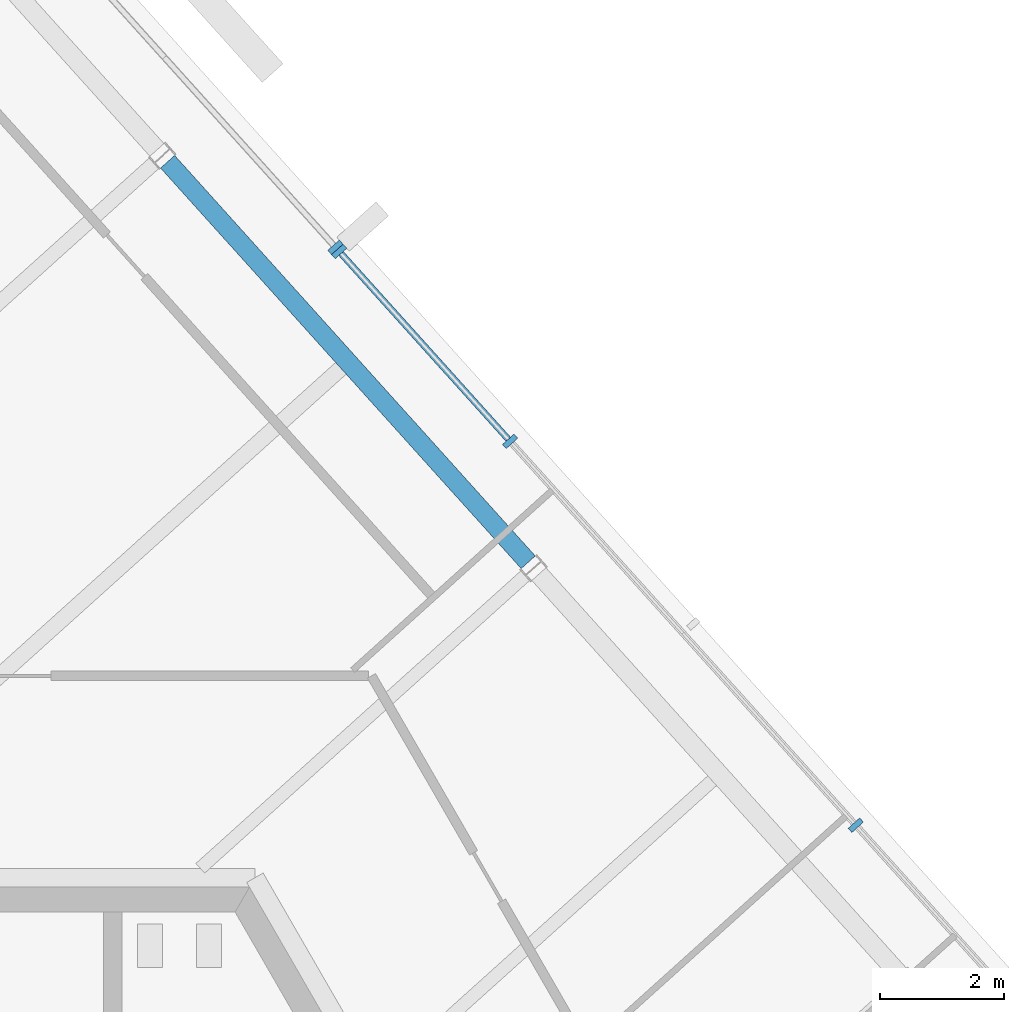
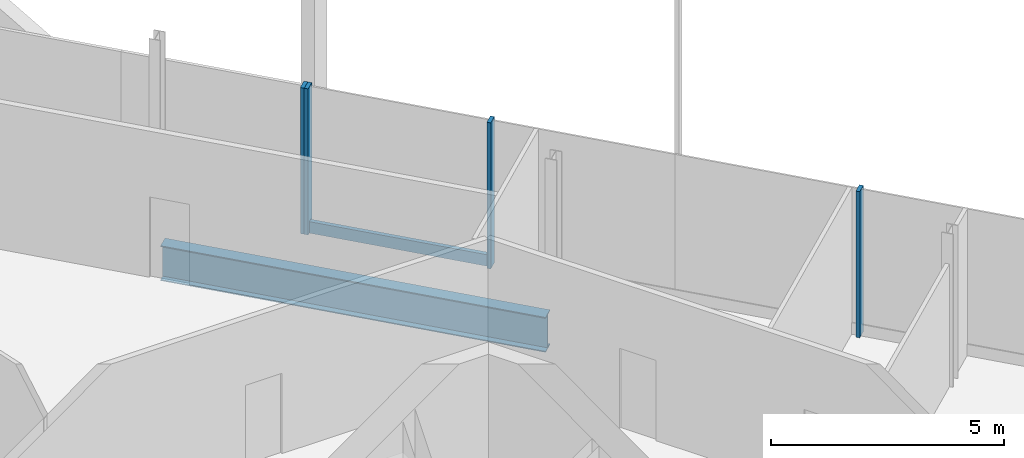
# One storey, part 8 of 17: 5 members, 1 beam, 2 elements without a shape of their own.
"""IFC4 building model written with IfcOpenShell, lengths in metres."""

from ifc_helpers import new_model, si_unit, direction, frame, origin, origin_2d, place, context, subcontext, project, spatial, rectangle, i_section, extrude, source, transform, mapped, material, material_profile, profile_set, type_object, element, aggregate, save


model = new_model("IFC4")

# Units and contexts
model_context = context("Model", 3, precision=1e-05, world=origin(), true_north=direction((0.0, 1.0)))
body_context = subcontext(model_context, "Body", "Model", "MODEL_VIEW")
ifc_project = project(units=[si_unit("LENGTHUNIT", "METRE"), si_unit("AREAUNIT", "SQUARE_METRE"), si_unit("VOLUMEUNIT", "CUBIC_METRE"), si_unit("PLANEANGLEUNIT", "RADIAN"), si_unit("MASSUNIT", "GRAM", prefix="KILO")], contexts=[model_context])

# Site, building, storey
site_placement = place(None, origin())
site = spatial("IfcSite", under=ifc_project, at=site_placement, CompositionType="ELEMENT")
building_placement = place(site_placement, origin())
building = spatial("IfcBuilding", under=site, at=building_placement, Name="Triune Harvest Tower", CompositionType="ELEMENT")
storey_placement = place(building_placement, frame((0.0, 0.0, 288.699951171875)))
storey = spatial("IfcBuildingStorey", under=building, at=storey_placement, Name="L76", CompositionType="ELEMENT", Elevation=288.699951171875)

# Beam
ifc_material_1 = material(Name="Steel ASTM A992 Gr 50", Category="steel")
ifc_material_profile_1 = material_profile(ifc_material_1, i_section(OverallWidth=0.3046875, OverallDepth=0.914306640625, WebThickness=0.0166015625, FlangeThickness=0.02587890625, at=origin_2d()), Name="W36x160")
ifc_profile_set_1 = profile_set([ifc_material_profile_1], Name="Steel ASTM A992 Gr 50")
beam_type = type_object("IfcBeamType", Name="SB-1 Spandrel beam W36x160", PredefinedType="SPANDREL", material=ifc_profile_set_1)
shared_shape_1 = source(origin(), body_context, "Body", "SweptSolid", [
    extrude(i_section(OverallWidth=0.3046875, OverallDepth=0.914306640625, WebThickness=0.0166015625, FlangeThickness=0.02587890625, at=origin_2d()), origin(), (0.0, 0.0, 1.0), 8.67138671875),
])
beam_placement = place(storey_placement, frame((10.4853515625, 15.62060546875, -0.63720703125), z_axis=(-0.669128044683, 0.743147132013, 0.0), x_axis=(-0.743147132013, -0.669128044683, 0.0)))
element("IfcBeam", 1, at=beam_placement, inside=storey, type_object=beam_type, Name="beam/L76/SB4", PredefinedType="SPANDREL", context=body_context, shape_type="MappedRepresentation", body=[
    mapped(shared_shape_1, transform((0.0, 0.0, 0.0), scale=1.0)),
])

# Curtain wall, members
ifc_material_2 = material(Name="Aluminium bronze anodised", Category="aluminium")
curtain_wall_type_1 = type_object("IfcCurtainWallType", Name="CW-4 Sky lobby tall glazing wall", PredefinedType="NOTDEFINED", material=ifc_material_2)
curtain_wall_1_placement = place(storey_placement, origin())
curtain_wall_1 = element("IfcCurtainWall", 2, at=curtain_wall_1_placement, inside=storey, type_object=curtain_wall_type_1, Name="CW-4 B7-F1 L76 run 2001")
ifc_material_3 = material(Name="Aluminium bronze anodised", Category="aluminium")
ifc_material_profile_2 = material_profile(ifc_material_3, rectangle(XDim=0.25, YDim=0.090087890625, at=origin_2d()), Name="MU-4 mullion 90 x 250")
ifc_profile_set_2 = profile_set([ifc_material_profile_2], Name="Aluminium bronze anodised")
member_type_1 = type_object("IfcMemberType", Name="MU-4 mullion 90 x 250", PredefinedType="MULLION", material=ifc_profile_set_2)
shared_shape_2 = source(origin(), body_context, "Body", "SweptSolid", [
    extrude(rectangle(XDim=0.25, YDim=0.090087890625, at=origin_2d()), origin(), (0.0, 0.0, 1.0), 3.820068359375),
])
member_1_placement = place(storey_placement, frame((15.75537109375, 11.39013671875, 0.0), z_axis=(0.0, 0.0, 1.0), x_axis=(-0.74314408674, -0.669131426809, 0.0)))
member_1 = element("IfcMember", 3, at=member_1_placement, type_object=member_type_1, Name="CW-4 mullion B7-F1 2001.3", PredefinedType="MULLION", context=body_context, shape_type="MappedRepresentation", body=[
    mapped(shared_shape_2, transform((0.0, 0.0, 0.0), scale=1.0)),
])
member_2_placement = place(storey_placement, frame((10.19384765625, 17.566650390625, 0.0), z_axis=(0.0, 0.0, 1.0), x_axis=(-0.74314408674, -0.669131426809, 0.0)))
member_2 = element("IfcMember", 4, at=member_2_placement, type_object=member_type_1, Name="CW-4 mullion B7-F1 2001.5", PredefinedType="MULLION", context=body_context, shape_type="MappedRepresentation", body=[
    mapped(shared_shape_2, transform((0.0, 0.0, 0.0), scale=1.0)),
])
member_3_placement = place(storey_placement, frame((7.443115234375, 20.62158203125, 0.0), z_axis=(0.0, 0.0, 1.0), x_axis=(-0.74314408674, -0.669131426809, 0.0)))
member_3 = element("IfcMember", 5, at=member_3_placement, type_object=member_type_1, Name="CW-4 mullion B7-F1 2001.6", PredefinedType="MULLION", context=body_context, shape_type="MappedRepresentation", body=[
    mapped(shared_shape_2, transform((0.0, 0.0, 0.0), scale=1.0)),
])

# Curtain wall, member
ifc_material_4 = material(Name="Aluminium bronze anodised", Category="aluminium")
curtain_wall_type_2 = type_object("IfcCurtainWallType", Name="CW-9 Sky lobby tall glazing wall with insulated spandrel infill", PredefinedType="NOTDEFINED", material=ifc_material_4)
curtain_wall_2_placement = place(storey_placement, origin())
curtain_wall_2 = element("IfcCurtainWall", 6, at=curtain_wall_2_placement, inside=storey, type_object=curtain_wall_type_2, Name="CW-9 B7-F1 L76 run 3001")
member_4_placement = place(storey_placement, frame((7.383056640625, 20.6884765625, 0.0), z_axis=(0.0, 0.0, 1.0), x_axis=(-0.743146360677, -0.669128901343, 0.0)))
member_4 = element("IfcMember", 7, at=member_4_placement, type_object=member_type_1, Name="CW-9 mullion B7-F1 3001.1", PredefinedType="MULLION", context=body_context, shape_type="MappedRepresentation", body=[
    mapped(shared_shape_2, transform((0.0, 0.0, 0.0), scale=1.0)),
])
aggregate(curtain_wall_2, [member_4])

# Member
ifc_material_5 = material(Name="Aluminium bronze anodised", Category="aluminium")
ifc_material_profile_3 = material_profile(ifc_material_5, rectangle(XDim=0.10009765625, YDim=0.300048828125, at=origin_2d()), Name="TR-4 transom 100 x 300")
ifc_profile_set_3 = profile_set([ifc_material_profile_3], Name="Aluminium bronze anodised")
member_type_2 = type_object("IfcMemberType", Name="TR-4 transom 100 x 300", PredefinedType="USERDEFINED", material=ifc_profile_set_3)
shared_shape_3 = source(origin(), body_context, "Body", "SweptSolid", [
    extrude(rectangle(XDim=0.10009765625, YDim=0.300048828125, at=origin_2d()), origin(), (0.0, 0.0, 1.0), 4.020751953125),
])
member_5_placement = place(storey_placement, frame((10.163818359375, 17.60009765625, 0.150146484375), z_axis=(-0.669129094071, 0.743146187145, 0.0), x_axis=(-0.743146187145, -0.669129094071, 0.0)))
member_5 = element("IfcMember", 8, at=member_5_placement, type_object=member_type_2, Name="CW-4 transom B7-F1 2001.3", ObjectType="TRANSOM", PredefinedType="USERDEFINED", context=body_context, shape_type="MappedRepresentation", body=[
    mapped(shared_shape_3, transform((0.0, 0.0, 0.0), scale=1.0)),
])

aggregate(curtain_wall_1, [member_1, member_2, member_3, member_5])

save(model, "model.ifc")
